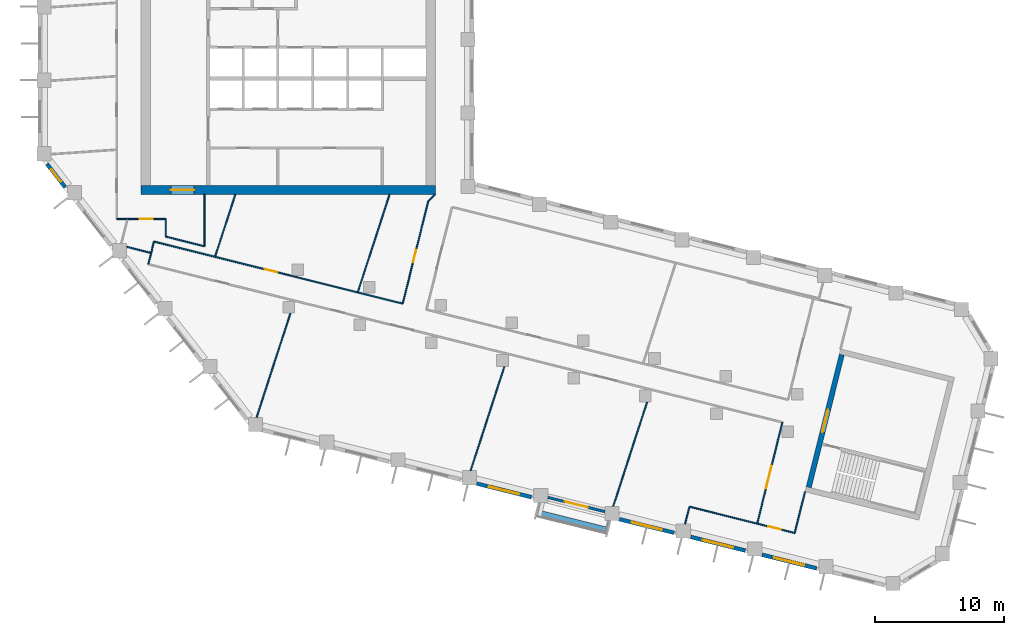
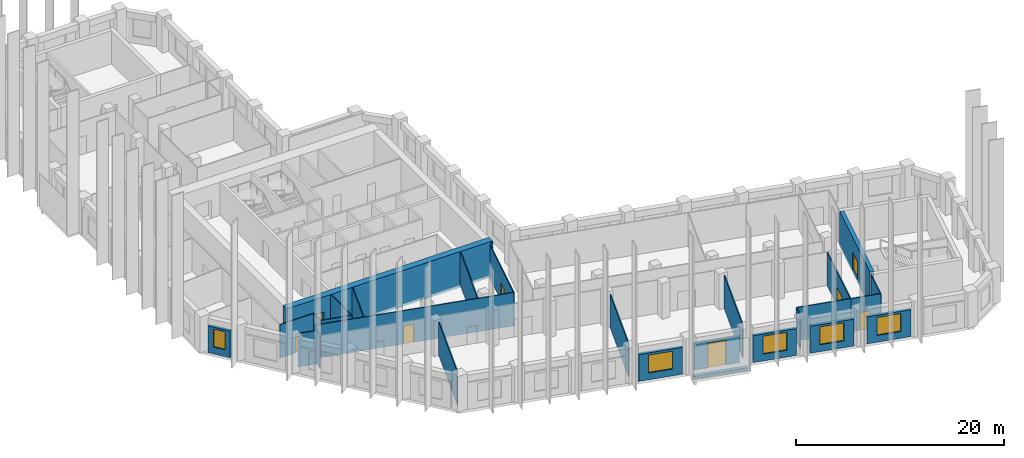
# One storey, part 3 of 10: 28 walls, 8 doors, 5 windows, 13 openings.
"""IFC4 building model written with IfcOpenShell, lengths in metres."""

from ifc_helpers import new_model, si_unit, direction, frame, frame_2d, origin, place, context, subcontext, project, spatial, rectangle, extrude, material, layer, layer_set, type_object, element, fill, save


model = new_model("IFC4")

# Units and contexts
model_context = context("Model", 3, precision=1e-05, world=origin(), true_north=direction((0.0, 1.0)))
body_context = subcontext(model_context, "Body", "Model", "MODEL_VIEW")
ifc_project = project(units=[si_unit("LENGTHUNIT", "METRE"), si_unit("AREAUNIT", "SQUARE_METRE"), si_unit("VOLUMEUNIT", "CUBIC_METRE"), si_unit("PLANEANGLEUNIT", "RADIAN"), si_unit("MASSUNIT", "GRAM", prefix="KILO")], contexts=[model_context])

# Site, building, storey
site_placement = place(None, origin())
site = spatial("IfcSite", under=ifc_project, at=site_placement, CompositionType="ELEMENT")
building_placement = place(site_placement, origin())
building = spatial("IfcBuilding", under=site, at=building_placement, Name="Meshkara Civic Tower", CompositionType="ELEMENT")
storey_placement = place(building_placement, frame((0.0, 0.0, 242.39990234375)))
storey = spatial("IfcBuildingStorey", under=building, at=storey_placement, Name="L55", CompositionType="ELEMENT", Elevation=242.39990234375)

# Wall, opening, door
ifc_material_1 = material(Name="Concrete C60", Category="concrete")
ifc_layer_1 = layer(ifc_material_1, 0.699951171875)
ifc_layer_set_1 = layer_set([ifc_layer_1], Name="Core ring wall 700 C60")
wall_type_1 = type_object("IfcWallType", Name="Core ring wall 700 C60", PredefinedType="SHEAR", material=ifc_layer_set_1)
wall_1_placement = place(storey_placement, frame((8.0, 14.449951171875, -0.2998046875), z_axis=(0.0, 0.0, 1.0), x_axis=(1.0, 0.0, 0.0)))
wall_1 = element("IfcWall", 1, at=wall_1_placement, inside=storey, type_object=wall_type_1, Name="L55-C001", PredefinedType="SHEAR", context=body_context, shape_type="SweptSolid", body=[
    extrude(rectangle(XDim=22.800048828125, YDim=0.699951171875, at=frame_2d((11.39990234375, 0.0))), origin(), (0.0, 0.0, 1.0), 4.199951171875),
])
opening_1_placement = place(wall_1_placement, frame((2.300048828125, 0.0, 0.300048828125)))
opening_1 = element("IfcOpeningElement", 2, at=opening_1_placement, cuts=wall_1, Name="Opening L55-K021", PredefinedType="OPENING", context=body_context, shape_type="SweptSolid", body=[
    extrude(rectangle(XDim=1.800048828125, YDim=2.10009765625, at=frame_2d((0.89990234375, 1.050048828125))), frame((0.0, 0.35986328125, 0.0), z_axis=(0.0, -1.0, 0.0), x_axis=(1.0, 0.0, 0.0)), (0.0, 0.0, 1.0), 0.719970703125),
])
ifc_material_2 = material(Name="Fire-rated door leaf in steel frame", Category="steel")
door_type_1 = type_object("IfcDoorType", Name="Core double door 1800 EI 60", OperationType="DOUBLE_DOOR_SINGLE_SWING", PredefinedType="DOOR", material=ifc_material_2)
door_1_placement = place(opening_1_placement, origin())
door_1 = element("IfcDoor", 3, at=door_1_placement, inside=storey, type_object=door_type_1, Name="L55-K021", OperationType="DOUBLE_DOOR_SINGLE_SWING", OverallHeight=2.10009765625, OverallWidth=1.800048828125, PredefinedType="DOOR", context=body_context, shape_type="SweptSolid", body=[
    extrude(rectangle(XDim=1.800048828125, YDim=2.10009765625, at=frame_2d((0.89990234375, 1.050048828125))), frame((0.0, 0.02490234375, 0.0), z_axis=(0.0, -1.0, 0.0), x_axis=(1.0, 0.0, 0.0)), (0.0, 0.0, 1.0), 0.050048828125),
])
fill(opening_1, door_1)

ifc_material_3 = material(Name="Corridor wall 100")
ifc_layer_2 = layer(ifc_material_3, 0.10009765625)
ifc_layer_set_2 = layer_set([ifc_layer_2], Name="Corridor wall 100")
wall_type_2 = type_object("IfcWallType", Name="Corridor wall 100", PredefinedType="PARTITIONING", material=ifc_layer_set_2)
wall_2_placement = place(storey_placement, frame((6.10009765625, 12.199951171875, 0.0), z_axis=(0.0, 0.0, 1.0), x_axis=(1.0, 0.0, 0.0)))
wall_2 = element("IfcWall", 4, at=wall_2_placement, inside=storey, type_object=wall_type_2, Name="L55-W005", PredefinedType="PARTITIONING", context=body_context, shape_type="SweptSolid", body=[
    extrude(rectangle(XDim=3.7998046875, YDim=0.10009765625, at=frame_2d((1.89990234375, 0.0))), origin(), (0.0, 0.0, 1.0), 3.900146484375),
])
opening_2_placement = place(wall_2_placement, frame((1.802001953125, 0.0, 0.0)))
opening_2 = element("IfcOpeningElement", 5, at=opening_2_placement, cuts=wall_2, Name="Opening L55-D014", PredefinedType="OPENING", context=body_context, shape_type="SweptSolid", body=[
    extrude(rectangle(XDim=1.0, YDim=2.10009765625, at=frame_2d((0.5, 1.050048828125))), frame((0.0, 0.06005859375, 0.0), z_axis=(0.0, -1.0, 0.0), x_axis=(1.0, 0.0, 0.0)), (0.0, 0.0, 1.0), 0.1201171875),
])
ifc_material_4 = material(Name="Door 1000 x 2100")
door_type_2 = type_object("IfcDoorType", Name="Door 1000 x 2100", OperationType="SINGLE_SWING_LEFT", PredefinedType="DOOR", material=ifc_material_4)
door_2_placement = place(opening_2_placement, origin())
door_2 = element("IfcDoor", 6, at=door_2_placement, inside=storey, type_object=door_type_2, Name="L55-D014", OperationType="SINGLE_SWING_RIGHT", OverallHeight=2.10009765625, OverallWidth=1.0, PredefinedType="DOOR", context=body_context, shape_type="SweptSolid", body=[
    extrude(rectangle(XDim=1.0, YDim=2.10009765625, at=frame_2d((0.5, 1.050048828125))), frame((0.0, 0.02490234375, 0.0), z_axis=(0.0, -1.0, 0.0), x_axis=(1.0, 0.0, 0.0)), (0.0, 0.0, 1.0), 0.050048828125),
])
fill(opening_2, door_2)

wall_3_placement = place(storey_placement, frame((8.988037109375, 10.43994140625, 0.0), z_axis=(0.0, 0.0, 1.0), x_axis=(0.970301223092, -0.241899848006, 0.0)))
wall_3 = element("IfcWall", 7, at=wall_3_placement, inside=storey, type_object=wall_type_2, Name="L55-W007", PredefinedType="PARTITIONING", context=body_context, shape_type="SweptSolid", body=[
    extrude(rectangle(XDim=19.87939453125, YDim=0.10009765625, at=frame_2d((9.939697265625, 0.0))), origin(), (0.0, 0.0, 1.0), 3.900146484375),
])
opening_3_placement = place(wall_3_placement, frame((8.861083984375, 0.0, 0.0)))
opening_3 = element("IfcOpeningElement", 8, at=opening_3_placement, cuts=wall_3, Name="Opening L55-D010", PredefinedType="OPENING", context=body_context, shape_type="SweptSolid", body=[
    extrude(rectangle(XDim=1.0, YDim=2.10009765625, at=frame_2d((0.5, 1.050048828125))), frame((0.0, 0.06005859375, 0.0), z_axis=(0.0, -1.0, 0.0), x_axis=(1.0, 0.0, 0.0)), (0.0, 0.0, 1.0), 0.1201171875),
])
door_3_placement = place(opening_3_placement, origin())
door_3 = element("IfcDoor", 9, at=door_3_placement, inside=storey, type_object=door_type_2, Name="L55-D010", OperationType="SINGLE_SWING_LEFT", OverallHeight=2.10009765625, OverallWidth=1.0, PredefinedType="DOOR", context=body_context, shape_type="SweptSolid", body=[
    extrude(rectangle(XDim=1.0, YDim=2.10009765625, at=frame_2d((0.5, 1.050048828125))), frame((0.0, 0.02490234375, 0.0), z_axis=(0.0, -1.0, 0.0), x_axis=(1.0, 0.0, 0.0)), (0.0, 0.0, 1.0), 0.050048828125),
])
fill(opening_3, door_3)

# Walls
wall_4_placement = place(storey_placement, frame((8.988037109375, 10.43994140625, 0.0), z_axis=(0.0, 0.0, 1.0), x_axis=(-0.242154485745, -0.970237705428, 0.0)))
element("IfcWall", 10, at=wall_4_placement, inside=storey, type_object=wall_type_2, Name="L55-W008", PredefinedType="PARTITIONING", context=body_context, shape_type="SweptSolid", body=[
    extrude(rectangle(XDim=1.80859375, YDim=0.10009765625, at=frame_2d((0.904296875, 0.0))), origin(), (0.0, 0.0, 1.0), 3.900146484375),
])
wall_5_placement = place(storey_placement, frame((9.89990234375, 10.825927734375, 0.0), z_axis=(0.0, 0.0, 1.0), x_axis=(0.970290953223, -0.241941038466, 0.0)))
element("IfcWall", 11, at=wall_5_placement, inside=storey, type_object=wall_type_2, Name="L55-W009", PredefinedType="PARTITIONING", context=body_context, shape_type="SweptSolid", body=[
    extrude(rectangle(XDim=3.091796875, YDim=0.10009765625, at=frame_2d((1.5458984375, 0.0))), origin(), (0.0, 0.0, 1.0), 3.900146484375),
])
wall_6_placement = place(storey_placement, frame((9.89990234375, 12.199951171875, 0.0), z_axis=(0.0, 0.0, 1.0), x_axis=(0.0, -1.0, 0.0)))
element("IfcWall", 12, at=wall_6_placement, inside=storey, type_object=wall_type_2, Name="L55-W010", PredefinedType="PARTITIONING", context=body_context, shape_type="SweptSolid", body=[
    extrude(rectangle(XDim=1.3740234375, YDim=0.10009765625, at=frame_2d((0.68701171875, 0.0))), origin(), (0.0, 0.0, 1.0), 3.900146484375),
])
wall_7_placement = place(storey_placement, frame((12.89990234375, 10.077880859375, 0.0), z_axis=(0.0, 0.0, 1.0), x_axis=(0.0, 1.0, 0.0)))
element("IfcWall", 13, at=wall_7_placement, inside=storey, type_object=wall_type_2, Name="L55-W016", PredefinedType="PARTITIONING", context=body_context, shape_type="SweptSolid", body=[
    extrude(rectangle(XDim=4.022216796875, YDim=0.10009765625, at=frame_2d((2.01123046875, 0.0))), origin(), (0.0, 0.0, 1.0), 3.900146484375),
])

# Wall, opening, door
wall_8_placement = place(storey_placement, frame((30.259033203125, 13.5830078125, 0.0), z_axis=(0.0, 0.0, 1.0), x_axis=(-0.241841612879, -0.970315739479, 0.0)))
wall_8 = element("IfcWall", 14, at=wall_8_placement, inside=storey, type_object=wall_type_2, Name="L55-W027", PredefinedType="PARTITIONING", context=body_context, shape_type="SweptSolid", body=[
    extrude(rectangle(XDim=8.195068359375, YDim=0.10009765625, at=frame_2d((4.09765625, 0.0))), origin(), (0.0, 0.0, 1.0), 3.900146484375),
])
opening_4_placement = place(wall_8_placement, frame((3.8798828125, 0.0, 0.0)))
opening_4 = element("IfcOpeningElement", 15, at=opening_4_placement, cuts=wall_8, Name="Opening L55-D011", PredefinedType="OPENING", context=body_context, shape_type="SweptSolid", body=[
    extrude(rectangle(XDim=1.0, YDim=2.10009765625, at=frame_2d((0.5, 1.050048828125))), frame((0.0, 0.06005859375, 0.0), z_axis=(0.0, -1.0, 0.0), x_axis=(1.0, 0.0, 0.0)), (0.0, 0.0, 1.0), 0.1201171875),
])
door_4_placement = place(opening_4_placement, origin())
door_4 = element("IfcDoor", 16, at=door_4_placement, inside=storey, type_object=door_type_2, Name="L55-D011", OperationType="SINGLE_SWING_LEFT", OverallHeight=2.10009765625, OverallWidth=1.0, PredefinedType="DOOR", context=body_context, shape_type="SweptSolid", body=[
    extrude(rectangle(XDim=1.0, YDim=2.10009765625, at=frame_2d((0.5, 1.050048828125))), frame((0.0, 0.02490234375, 0.0), z_axis=(0.0, -1.0, 0.0), x_axis=(1.0, 0.0, 0.0)), (0.0, 0.0, 1.0), 0.050048828125),
])
fill(opening_4, door_4)

# Wall
wall_9_placement = place(storey_placement, frame((30.800048828125, 14.10009765625, 0.0), z_axis=(0.0, 0.0, 1.0), x_axis=(-0.722911025189, -0.690941133281, 0.0)))
element("IfcWall", 17, at=wall_9_placement, inside=storey, type_object=wall_type_2, Name="L55-W028", PredefinedType="PARTITIONING", context=body_context, shape_type="SweptSolid", body=[
    extrude(rectangle(XDim=0.748291015625, YDim=0.10009765625, at=frame_2d((0.3740234375, 0.0))), origin(), (0.0, 0.0, 1.0), 3.900146484375),
])

# Wall, opening, door
wall_10_placement = place(storey_placement, frame((55.760986328125, -11.428955078125, 0.0), z_axis=(0.0, 0.0, 1.0), x_axis=(0.970276376031, -0.241999491975, 0.0)))
wall_10 = element("IfcWall", 18, at=wall_10_placement, inside=storey, type_object=wall_type_2, Name="L55-W031", PredefinedType="PARTITIONING", context=body_context, shape_type="SweptSolid", body=[
    extrude(rectangle(XDim=3.000244140625, YDim=0.10009765625, at=frame_2d((1.5, 0.0))), origin(), (0.0, 0.0, 1.0), 3.900146484375),
])
opening_5_placement = place(wall_10_placement, frame((0.8798828125, 0.0, 0.0)))
opening_5 = element("IfcOpeningElement", 19, at=opening_5_placement, cuts=wall_10, Name="Opening L55-D002", PredefinedType="OPENING", context=body_context, shape_type="SweptSolid", body=[
    extrude(rectangle(XDim=1.0, YDim=2.10009765625, at=frame_2d((0.5, 1.050048828125))), frame((0.0, 0.06005859375, 0.0), z_axis=(0.0, -1.0, 0.0), x_axis=(1.0, 0.0, 0.0)), (0.0, 0.0, 1.0), 0.1201171875),
])
door_5_placement = place(opening_5_placement, origin())
door_5 = element("IfcDoor", 20, at=door_5_placement, inside=storey, type_object=door_type_2, Name="L55-D002", OperationType="SINGLE_SWING_RIGHT", OverallHeight=2.10009765625, OverallWidth=1.0, PredefinedType="DOOR", context=body_context, shape_type="SweptSolid", body=[
    extrude(rectangle(XDim=1.0, YDim=2.10009765625, at=frame_2d((0.5, 1.050048828125))), frame((0.0, 0.02490234375, 0.0), z_axis=(0.0, -1.0, 0.0), x_axis=(1.0, 0.0, 0.0)), (0.0, 0.0, 1.0), 0.050048828125),
])
fill(opening_5, door_5)

wall_11_placement = place(storey_placement, frame((57.719970703125, -3.573974609375, 0.0), z_axis=(0.0, 0.0, 1.0), x_axis=(-0.241982110561, -0.970280711015, 0.0)))
wall_11 = element("IfcWall", 21, at=wall_11_placement, inside=storey, type_object=wall_type_2, Name="L55-W032", PredefinedType="PARTITIONING", context=body_context, shape_type="SweptSolid", body=[
    extrude(rectangle(XDim=8.095458984375, YDim=0.10009765625, at=frame_2d((4.0478515625, 0.0))), origin(), (0.0, 0.0, 1.0), 3.900146484375),
])
opening_6_placement = place(wall_11_placement, frame((3.47998046875, 0.0, 0.0)))
opening_6 = element("IfcOpeningElement", 22, at=opening_6_placement, cuts=wall_11, Name="Opening L55-D001", PredefinedType="OPENING", context=body_context, shape_type="SweptSolid", body=[
    extrude(rectangle(XDim=1.800048828125, YDim=2.10009765625, at=frame_2d((0.89990234375, 1.050048828125))), frame((0.0, 0.06005859375, 0.0), z_axis=(0.0, -1.0, 0.0), x_axis=(1.0, 0.0, 0.0)), (0.0, 0.0, 1.0), 0.1201171875),
])
ifc_material_5 = material(Name="Door pair 1800 x 2100")
door_type_3 = type_object("IfcDoorType", Name="Door pair 1800 x 2100", OperationType="SINGLE_SWING_LEFT", PredefinedType="DOOR", material=ifc_material_5)
door_6_placement = place(opening_6_placement, origin())
door_6 = element("IfcDoor", 23, at=door_6_placement, inside=storey, type_object=door_type_3, Name="L55-D001", OperationType="DOUBLE_DOOR_SINGLE_SWING", OverallHeight=2.10009765625, OverallWidth=1.800048828125, PredefinedType="DOOR", context=body_context, shape_type="SweptSolid", body=[
    extrude(rectangle(XDim=1.800048828125, YDim=2.10009765625, at=frame_2d((0.89990234375, 1.050048828125))), frame((0.0, 0.02490234375, 0.0), z_axis=(0.0, -1.0, 0.0), x_axis=(1.0, 0.0, 0.0)), (0.0, 0.0, 1.0), 0.050048828125),
])
fill(opening_6, door_6)

# Wall
wall_12_placement = place(storey_placement, frame((58.672119140625, -12.155029296875, 0.0), z_axis=(0.0, 0.0, 1.0), x_axis=(0.242048225647, 0.970264219922, 0.0)))
element("IfcWall", 24, at=wall_12_placement, inside=storey, type_object=wall_type_2, Name="L55-W033", PredefinedType="PARTITIONING", context=body_context, shape_type="SweptSolid", body=[
    extrude(rectangle(XDim=3.30029296875, YDim=0.10009765625, at=frame_2d((1.650146484375, 0.0))), origin(), (0.0, 0.0, 1.0), 3.900146484375),
])

# Wall, opening, window
ifc_material_6 = material(Name="Insulated infill panel with bronze anodised aluminium cladding", Category="aluminium")
ifc_layer_3 = layer(ifc_material_6, 0.300048828125)
ifc_layer_set_3 = layer_set([ifc_layer_3], Name="EXTERNAL INFILL WALL 300")
wall_type_3 = type_object("IfcWallType", Name="EXTERNAL INFILL WALL 300", PredefinedType="SOLIDWALL", material=ifc_layer_set_3)
wall_13_placement = place(storey_placement, frame((0.68896484375, 16.4619140625, 0.0), z_axis=(0.0, 0.0, 1.0), x_axis=(0.615625465473, -0.788038886262, 0.0)))
wall_13 = element("IfcWall", 25, at=wall_13_placement, inside=storey, type_object=wall_type_3, Name="External wall", PredefinedType="SOLIDWALL", context=body_context, shape_type="SweptSolid", body=[
    extrude(rectangle(XDim=2.29541015625, YDim=0.300048828125, at=frame_2d((1.147705078125, 0.0))), origin(), (0.0, 0.0, 1.0), 3.150146484375),
])
opening_7_placement = place(wall_13_placement, frame((0.548095703125, 0.0, 0.800048828125)))
opening_7 = element("IfcOpeningElement", 26, at=opening_7_placement, cuts=wall_13, Name="Opening W3", PredefinedType="OPENING", context=body_context, shape_type="SweptSolid", body=[
    extrude(rectangle(XDim=1.199951171875, YDim=2.10009765625, at=frame_2d((0.60009765625, 1.050048828125))), frame((0.0, 0.159912109375, 0.0), z_axis=(0.0, -1.0, 0.0), x_axis=(1.0, 0.0, 0.0)), (0.0, 0.0, 1.0), 0.320068359375),
])
ifc_material_7 = material(Name="Tinted double glazing", Category="glass")
window_type_1 = type_object("IfcWindowType", Name="WINDOW 1200x2100", PartitioningType="SINGLE_PANEL", PredefinedType="WINDOW", material=ifc_material_7)
window_1_placement = place(opening_7_placement, origin())
window_1 = element("IfcWindow", 27, at=window_1_placement, inside=storey, type_object=window_type_1, Name="Window", OverallHeight=2.10009765625, OverallWidth=1.199951171875, PartitioningType="SINGLE_PANEL", PredefinedType="WINDOW", context=body_context, shape_type="SweptSolid", body=[
    extrude(rectangle(XDim=1.199951171875, YDim=2.10009765625, at=frame_2d((0.60009765625, 1.050048828125))), frame((0.0, 0.030029296875, 0.0), z_axis=(0.0, -1.0, 0.0), x_axis=(1.0, 0.0, 0.0)), (0.0, 0.0, 1.0), 0.06005859375),
])
fill(opening_7, window_1)

wall_14_placement = place(storey_placement, frame((34.01708984375, -8.326904296875, 0.0), z_axis=(0.0, 0.0, 1.0), x_axis=(0.970306725873, -0.241877774353, 0.0)))
wall_14 = element("IfcWall", 28, at=wall_14_placement, inside=storey, type_object=wall_type_3, Name="External wall", PredefinedType="SOLIDWALL", context=body_context, shape_type="SweptSolid", body=[
    extrude(rectangle(XDim=4.366455078125, YDim=0.300048828125, at=frame_2d((2.18310546875, 0.0))), origin(), (0.0, 0.0, 1.0), 3.150146484375),
])
opening_8_placement = place(wall_14_placement, frame((0.98291015625, 0.0, 0.800048828125)))
opening_8 = element("IfcOpeningElement", 29, at=opening_8_placement, cuts=wall_14, Name="Opening W7", PredefinedType="OPENING", context=body_context, shape_type="SweptSolid", body=[
    extrude(rectangle(XDim=2.39990234375, YDim=2.10009765625, at=frame_2d((1.199951171875, 1.050048828125))), frame((0.0, 0.159912109375, 0.0), z_axis=(0.0, -1.0, 0.0), x_axis=(1.0, 0.0, 0.0)), (0.0, 0.0, 1.0), 0.320068359375),
])
ifc_material_8 = material(Name="Tinted double glazing", Category="glass")
window_type_2 = type_object("IfcWindowType", Name="WINDOW 2400x2100", PartitioningType="DOUBLE_PANEL_VERTICAL", PredefinedType="WINDOW", material=ifc_material_8)
window_2_placement = place(opening_8_placement, origin())
window_2 = element("IfcWindow", 30, at=window_2_placement, inside=storey, type_object=window_type_2, Name="Window", OverallHeight=2.10009765625, OverallWidth=2.39990234375, PartitioningType="DOUBLE_PANEL_VERTICAL", PredefinedType="WINDOW", context=body_context, shape_type="SweptSolid", body=[
    extrude(rectangle(XDim=2.39990234375, YDim=2.10009765625, at=frame_2d((1.199951171875, 1.050048828125))), frame((0.0, 0.030029296875, 0.0), z_axis=(0.0, -1.0, 0.0), x_axis=(1.0, 0.0, 0.0)), (0.0, 0.0, 1.0), 0.06005859375),
])
fill(opening_8, window_2)

wall_15_placement = place(storey_placement, frame((45.0791015625, -11.0849609375, 0.0), z_axis=(0.0, 0.0, 1.0), x_axis=(0.970293636985, -0.241930275135, 0.0)))
wall_15 = element("IfcWall", 31, at=wall_15_placement, inside=storey, type_object=wall_type_3, Name="External wall", PredefinedType="SOLIDWALL", context=body_context, shape_type="SweptSolid", body=[
    extrude(rectangle(XDim=4.365478515625, YDim=0.300048828125, at=frame_2d((2.1826171875, 0.0))), origin(), (0.0, 0.0, 1.0), 3.150146484375),
])
opening_9_placement = place(wall_15_placement, frame((0.98291015625, 0.0, 0.800048828125)))
opening_9 = element("IfcOpeningElement", 32, at=opening_9_placement, cuts=wall_15, Name="Opening W7", PredefinedType="OPENING", context=body_context, shape_type="SweptSolid", body=[
    extrude(rectangle(XDim=2.39990234375, YDim=2.10009765625, at=frame_2d((1.199951171875, 1.050048828125))), frame((0.0, 0.159912109375, 0.0), z_axis=(0.0, -1.0, 0.0), x_axis=(1.0, 0.0, 0.0)), (0.0, 0.0, 1.0), 0.320068359375),
])
window_3_placement = place(opening_9_placement, origin())
window_3 = element("IfcWindow", 33, at=window_3_placement, inside=storey, type_object=window_type_2, Name="Window", OverallHeight=2.10009765625, OverallWidth=2.39990234375, PartitioningType="DOUBLE_PANEL_VERTICAL", PredefinedType="WINDOW", context=body_context, shape_type="SweptSolid", body=[
    extrude(rectangle(XDim=2.39990234375, YDim=2.10009765625, at=frame_2d((1.199951171875, 1.050048828125))), frame((0.0, 0.030029296875, 0.0), z_axis=(0.0, -1.0, 0.0), x_axis=(1.0, 0.0, 0.0)), (0.0, 0.0, 1.0), 0.06005859375),
])
fill(opening_9, window_3)

wall_16_placement = place(storey_placement, frame((50.60888671875, -12.462890625, 0.0), z_axis=(0.0, 0.0, 1.0), x_axis=(0.970257492536, -0.242075191166, 0.0)))
wall_16 = element("IfcWall", 34, at=wall_16_placement, inside=storey, type_object=wall_type_3, Name="External wall", PredefinedType="SOLIDWALL", context=body_context, shape_type="SweptSolid", body=[
    extrude(rectangle(XDim=4.366943359375, YDim=0.300048828125, at=frame_2d((2.18359375, 0.0))), origin(), (0.0, 0.0, 1.0), 3.150146484375),
])
opening_10_placement = place(wall_16_placement, frame((0.98291015625, 0.0, 0.800048828125)))
opening_10 = element("IfcOpeningElement", 35, at=opening_10_placement, cuts=wall_16, Name="Opening W7", PredefinedType="OPENING", context=body_context, shape_type="SweptSolid", body=[
    extrude(rectangle(XDim=2.39990234375, YDim=2.10009765625, at=frame_2d((1.199951171875, 1.050048828125))), frame((0.0, 0.159912109375, 0.0), z_axis=(0.0, -1.0, 0.0), x_axis=(1.0, 0.0, 0.0)), (0.0, 0.0, 1.0), 0.320068359375),
])
window_4_placement = place(opening_10_placement, origin())
window_4 = element("IfcWindow", 36, at=window_4_placement, inside=storey, type_object=window_type_2, Name="Window", OverallHeight=2.10009765625, OverallWidth=2.39990234375, PartitioningType="DOUBLE_PANEL_VERTICAL", PredefinedType="WINDOW", context=body_context, shape_type="SweptSolid", body=[
    extrude(rectangle(XDim=2.39990234375, YDim=2.10009765625, at=frame_2d((1.199951171875, 1.050048828125))), frame((0.0, 0.030029296875, 0.0), z_axis=(0.0, -1.0, 0.0), x_axis=(1.0, 0.0, 0.0)), (0.0, 0.0, 1.0), 0.06005859375),
])
fill(opening_10, window_4)

wall_17_placement = place(storey_placement, frame((56.139892578125, -13.842041015625, 0.0), z_axis=(0.0, 0.0, 1.0), x_axis=(0.970270622343, -0.24202255973, 0.0)))
wall_17 = element("IfcWall", 37, at=wall_17_placement, inside=storey, type_object=wall_type_3, Name="External wall", PredefinedType="SOLIDWALL", context=body_context, shape_type="SweptSolid", body=[
    extrude(rectangle(XDim=4.366943359375, YDim=0.300048828125, at=frame_2d((2.18359375, 0.0))), origin(), (0.0, 0.0, 1.0), 3.150146484375),
])
opening_11_placement = place(wall_17_placement, frame((0.98291015625, 0.0, 0.800048828125)))
opening_11 = element("IfcOpeningElement", 38, at=opening_11_placement, cuts=wall_17, Name="Opening W7", PredefinedType="OPENING", context=body_context, shape_type="SweptSolid", body=[
    extrude(rectangle(XDim=2.39990234375, YDim=2.10009765625, at=frame_2d((1.199951171875, 1.050048828125))), frame((0.0, 0.159912109375, 0.0), z_axis=(0.0, -1.0, 0.0), x_axis=(1.0, 0.0, 0.0)), (0.0, 0.0, 1.0), 0.320068359375),
])
window_5_placement = place(opening_11_placement, origin())
window_5 = element("IfcWindow", 39, at=window_5_placement, inside=storey, type_object=window_type_2, Name="Window", OverallHeight=2.10009765625, OverallWidth=2.39990234375, PartitioningType="DOUBLE_PANEL_VERTICAL", PredefinedType="WINDOW", context=body_context, shape_type="SweptSolid", body=[
    extrude(rectangle(XDim=2.39990234375, YDim=2.10009765625, at=frame_2d((1.199951171875, 1.050048828125))), frame((0.0, 0.030029296875, 0.0), z_axis=(0.0, -1.0, 0.0), x_axis=(1.0, 0.0, 0.0)), (0.0, 0.0, 1.0), 0.06005859375),
])
fill(opening_11, window_5)

# Wall, opening, door
ifc_material_9 = material(Name="Concrete C60", Category="concrete")
ifc_layer_4 = layer(ifc_material_9, 0.39990234375)
ifc_layer_set_4 = layer_set([ifc_layer_4], Name="End core ring wall 400 C60")
wall_type_4 = type_object("IfcWallType", Name="End core ring wall 400 C60", PredefinedType="SHEAR", material=ifc_layer_set_4)
wall_18_placement = place(storey_placement, frame((59.760986328125, -8.613037109375, -0.2998046875), z_axis=(0.0, 0.0, 1.0), x_axis=(0.241971982666, 0.970283236795, 0.0)))
wall_18 = element("IfcWall", 40, at=wall_18_placement, inside=storey, type_object=wall_type_4, Name="L55-C030", PredefinedType="SHEAR", context=body_context, shape_type="SweptSolid", body=[
    extrude(rectangle(XDim=10.60009765625, YDim=0.39990234375, at=frame_2d((5.300048828125, 0.0))), origin(), (0.0, 0.0, 1.0), 4.199951171875),
])
opening_12_placement = place(wall_18_placement, frame((4.39990234375, 0.0, 0.300048828125)))
opening_12 = element("IfcOpeningElement", 41, at=opening_12_placement, cuts=wall_18, Name="Opening L55-K202", PredefinedType="OPENING", context=body_context, shape_type="SweptSolid", body=[
    extrude(rectangle(XDim=1.800048828125, YDim=2.10009765625, at=frame_2d((0.89990234375, 1.050048828125))), frame((0.0, 0.2099609375, 0.0), z_axis=(0.0, -1.0, 0.0), x_axis=(1.0, 0.0, 0.0)), (0.0, 0.0, 1.0), 0.419921875),
])
door_7_placement = place(opening_12_placement, origin())
door_7 = element("IfcDoor", 42, at=door_7_placement, inside=storey, type_object=door_type_1, Name="L55-K202", OperationType="DOUBLE_DOOR_SINGLE_SWING", OverallHeight=2.10009765625, OverallWidth=1.800048828125, PredefinedType="DOOR", context=body_context, shape_type="SweptSolid", body=[
    extrude(rectangle(XDim=1.800048828125, YDim=2.10009765625, at=frame_2d((0.89990234375, 1.050048828125))), frame((0.0, 0.02490234375, 0.0), z_axis=(0.0, -1.0, 0.0), x_axis=(1.0, 0.0, 0.0)), (0.0, 0.0, 1.0), 0.050048828125),
])
fill(opening_12, door_7)

ifc_material_10 = material(Name="Insulated infill panel with bronze anodised aluminium cladding", Category="aluminium")
ifc_layer_5 = layer(ifc_material_10, 0.199951171875)
ifc_layer_set_5 = layer_set([ifc_layer_5], Name="LOGGIA BACK WALL 200")
wall_type_5 = type_object("IfcWallType", Name="LOGGIA BACK WALL 200", PredefinedType="SOLIDWALL", material=ifc_layer_set_5)
wall_19_placement = place(storey_placement, frame((39.52392578125, -9.39111328125, 0.0), z_axis=(0.0, 0.0, 1.0), x_axis=(0.970337166083, -0.241755628927, 0.0)))
wall_19 = element("IfcWall", 43, at=wall_19_placement, inside=storey, type_object=wall_type_5, Name="Loggia wall", PredefinedType="SOLIDWALL", context=body_context, shape_type="SweptSolid", body=[
    extrude(rectangle(XDim=4.566650390625, YDim=0.199951171875, at=frame_2d((2.283203125, 0.0))), origin(), (0.0, 0.0, 1.0), 3.150146484375),
])
opening_13_placement = place(wall_19_placement, frame((1.383056640625, 0.0, 0.0)))
opening_13 = element("IfcOpeningElement", 44, at=opening_13_placement, cuts=wall_19, Name="Opening L55-L002", PredefinedType="OPENING", context=body_context, shape_type="SweptSolid", body=[
    extrude(rectangle(XDim=1.800048828125, YDim=2.89990234375, at=frame_2d((0.89990234375, 1.449951171875))), frame((0.0, 0.10986328125, 0.0), z_axis=(0.0, -1.0, 0.0), x_axis=(1.0, 0.0, 0.0)), (0.0, 0.0, 1.0), 0.219970703125),
])
ifc_material_11 = material(Name="Tinted double glazing", Category="glass")
door_type_4 = type_object("IfcDoorType", Name="LOGGIA DOOR 1800x2900", OperationType="DOUBLE_DOOR_SINGLE_SWING", PredefinedType="DOOR", material=ifc_material_11)
door_8_placement = place(opening_13_placement, origin())
door_8 = element("IfcDoor", 45, at=door_8_placement, inside=storey, type_object=door_type_4, Name="L55-L002", OperationType="DOUBLE_DOOR_SINGLE_SWING", OverallHeight=2.89990234375, OverallWidth=1.800048828125, PredefinedType="DOOR", context=body_context, shape_type="SweptSolid", body=[
    extrude(rectangle(XDim=1.800048828125, YDim=2.89990234375, at=frame_2d((0.89990234375, 1.449951171875))), frame((0.0, 0.02490234375, 0.0), z_axis=(0.0, -1.0, 0.0), x_axis=(1.0, 0.0, 0.0)), (0.0, 0.0, 1.0), 0.050048828125),
])
fill(opening_13, door_8)

# Walls
ifc_material_12 = material(Name="Concrete C40", Category="concrete")
ifc_layer_6 = layer(ifc_material_12, 0.39990234375)
ifc_layer_set_6 = layer_set([ifc_layer_6], Name="PLANTER TRAY")
wall_type_6 = type_object("IfcWallType", Name="PLANTER TRAY", PredefinedType="SOLIDWALL", material=ifc_layer_set_6)
wall_20_placement = place(storey_placement, frame((38.81689453125, -10.5849609375, 0.0), z_axis=(0.0, 0.0, 1.0), x_axis=(0.970281652924, -0.241978333739, 0.0)))
element("IfcWall", 46, at=wall_20_placement, inside=storey, type_object=wall_type_6, Name="Planter", PredefinedType="SOLIDWALL", context=body_context, shape_type="SweptSolid", body=[
    extrude(rectangle(XDim=5.360595703125, YDim=0.39990234375, at=frame_2d((2.68017578125, 0.0))), origin(), (0.0, 0.0, 1.0), 0.300048828125),
])
ifc_material_13 = material(Name="Partition 100")
ifc_layer_7 = layer(ifc_material_13, 0.10009765625)
ifc_layer_set_7 = layer_set([ifc_layer_7], Name="Partition 100")
wall_type_7 = type_object("IfcWallType", Name="Partition 100", PredefinedType="PARTITIONING", material=ifc_layer_set_7)
wall_21_placement = place(storey_placement, frame((8.719970703125, 9.573974609375, 0.0), z_axis=(0.0, 0.0, 1.0), x_axis=(-0.970240497311, 0.242143299263, 0.0)))
element("IfcWall", 47, at=wall_21_placement, inside=storey, type_object=wall_type_7, Name="L55-W044", PredefinedType="PARTITIONING", context=body_context, shape_type="SweptSolid", body=[
    extrude(rectangle(XDim=1.903564453125, YDim=0.10009765625, at=frame_2d((0.95166015625, 0.0))), origin(), (0.0, 0.0, 1.0), 3.900146484375),
])
wall_22_placement = place(storey_placement, frame((13.740966796875, 9.31005859375, 0.0), z_axis=(0.0, 0.0, 1.0), x_axis=(0.308976461467, 0.95106968528, 0.0)))
element("IfcWall", 48, at=wall_22_placement, inside=storey, type_object=wall_type_7, Name="L55-W046", PredefinedType="PARTITIONING", context=body_context, shape_type="SweptSolid", body=[
    extrude(rectangle(XDim=5.036376953125, YDim=0.10009765625, at=frame_2d((2.51806640625, 0.0))), origin(), (0.0, 0.0, 1.0), 3.900146484375),
])
wall_23_placement = place(storey_placement, frame((16.946044921875, -3.18798828125, 0.0), z_axis=(0.0, 0.0, 1.0), x_axis=(0.308984279279, 0.951067145452, 0.0)))
element("IfcWall", 49, at=wall_23_placement, inside=storey, type_object=wall_type_7, Name="L55-W047", PredefinedType="PARTITIONING", context=body_context, shape_type="SweptSolid", body=[
    extrude(rectangle(XDim=8.5146484375, YDim=0.10009765625, at=frame_2d((4.25732421875, 0.0))), origin(), (0.0, 0.0, 1.0), 3.900146484375),
])
wall_24_placement = place(storey_placement, frame((24.802978515625, 6.552001953125, 0.0), z_axis=(0.0, 0.0, 1.0), x_axis=(0.308946255954, 0.951079497693, 0.0)))
element("IfcWall", 50, at=wall_24_placement, inside=storey, type_object=wall_type_7, Name="L55-W049", PredefinedType="PARTITIONING", context=body_context, shape_type="SweptSolid", body=[
    extrude(rectangle(XDim=7.936279296875, YDim=0.10009765625, at=frame_2d((3.96826171875, 0.0))), origin(), (0.0, 0.0, 1.0), 3.900146484375),
])
wall_25_placement = place(storey_placement, frame((33.5380859375, -7.324951171875, 0.0), z_axis=(0.0, 0.0, 1.0), x_axis=(0.308984279279, 0.951067145452, 0.0)))
element("IfcWall", 51, at=wall_25_placement, inside=storey, type_object=wall_type_7, Name="L55-W050", PredefinedType="PARTITIONING", context=body_context, shape_type="SweptSolid", body=[
    extrude(rectangle(XDim=8.5146484375, YDim=0.10009765625, at=frame_2d((4.25732421875, 0.0))), origin(), (0.0, 0.0, 1.0), 3.900146484375),
])
wall_26_placement = place(storey_placement, frame((44.59912109375, -10.08203125, 0.0), z_axis=(0.0, 0.0, 1.0), x_axis=(0.309121734115, 0.951022477914, 0.0)))
element("IfcWall", 52, at=wall_26_placement, inside=storey, type_object=wall_type_7, Name="L55-W051", PredefinedType="PARTITIONING", context=body_context, shape_type="SweptSolid", body=[
    extrude(rectangle(XDim=8.513916015625, YDim=0.10009765625, at=frame_2d((4.2568359375, 0.0))), origin(), (0.0, 0.0, 1.0), 3.900146484375),
])
wall_27_placement = place(storey_placement, frame((50.172119140625, -11.4609375, 0.0), z_axis=(0.0, 0.0, 1.0), x_axis=(0.242161836409, 0.9702358708, 0.0)))
element("IfcWall", 53, at=wall_27_placement, inside=storey, type_object=wall_type_7, Name="L55-W053", PredefinedType="PARTITIONING", context=body_context, shape_type="SweptSolid", body=[
    extrude(rectangle(XDim=1.38330078125, YDim=0.10009765625, at=frame_2d((0.691650390625, 0.0))), origin(), (0.0, 0.0, 1.0), 3.900146484375),
])
wall_28_placement = place(storey_placement, frame((50.507080078125, -10.118896484375, 0.0), z_axis=(0.0, 0.0, 1.0), x_axis=(0.970290732875, -0.241941922155, 0.0)))
element("IfcWall", 54, at=wall_28_placement, inside=storey, type_object=wall_type_7, Name="L55-W054", PredefinedType="PARTITIONING", context=body_context, shape_type="SweptSolid", body=[
    extrude(rectangle(XDim=5.418701171875, YDim=0.10009765625, at=frame_2d((2.70947265625, 0.0))), origin(), (0.0, 0.0, 1.0), 3.900146484375),
])

save(model, "model.ifc")
